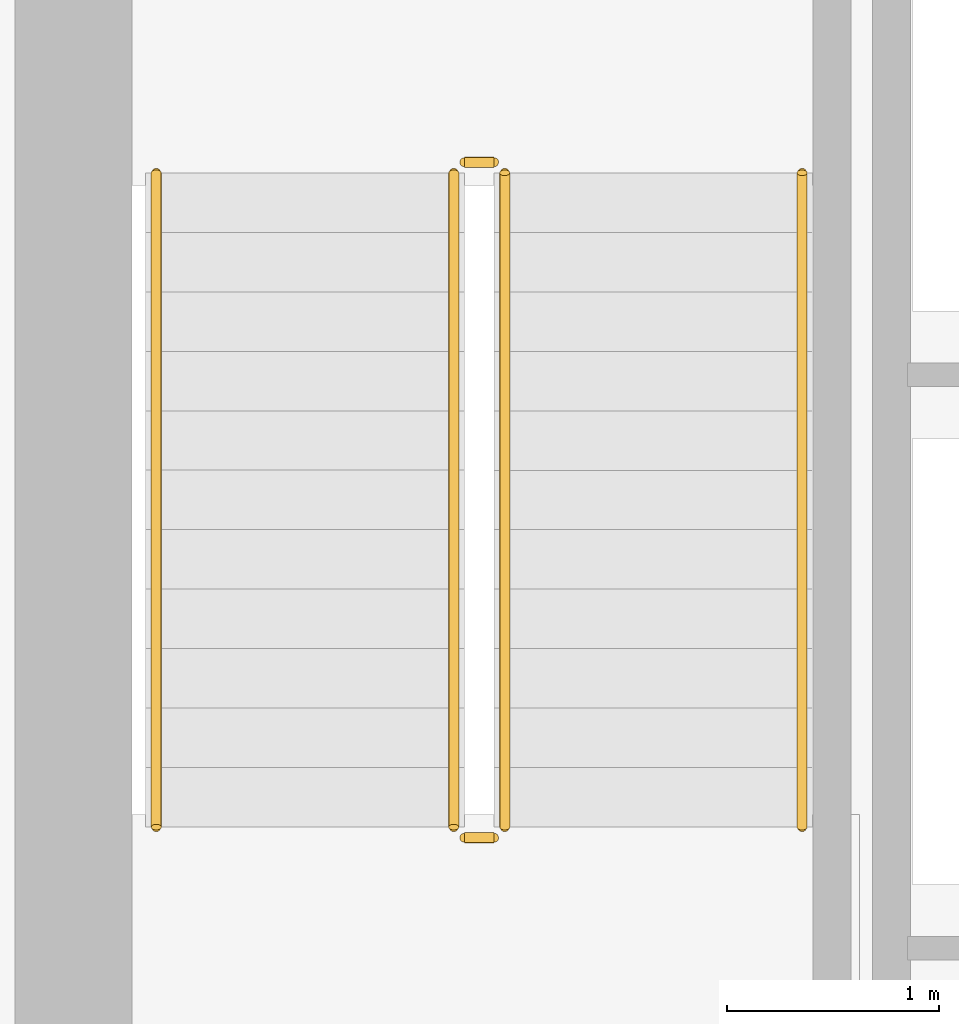
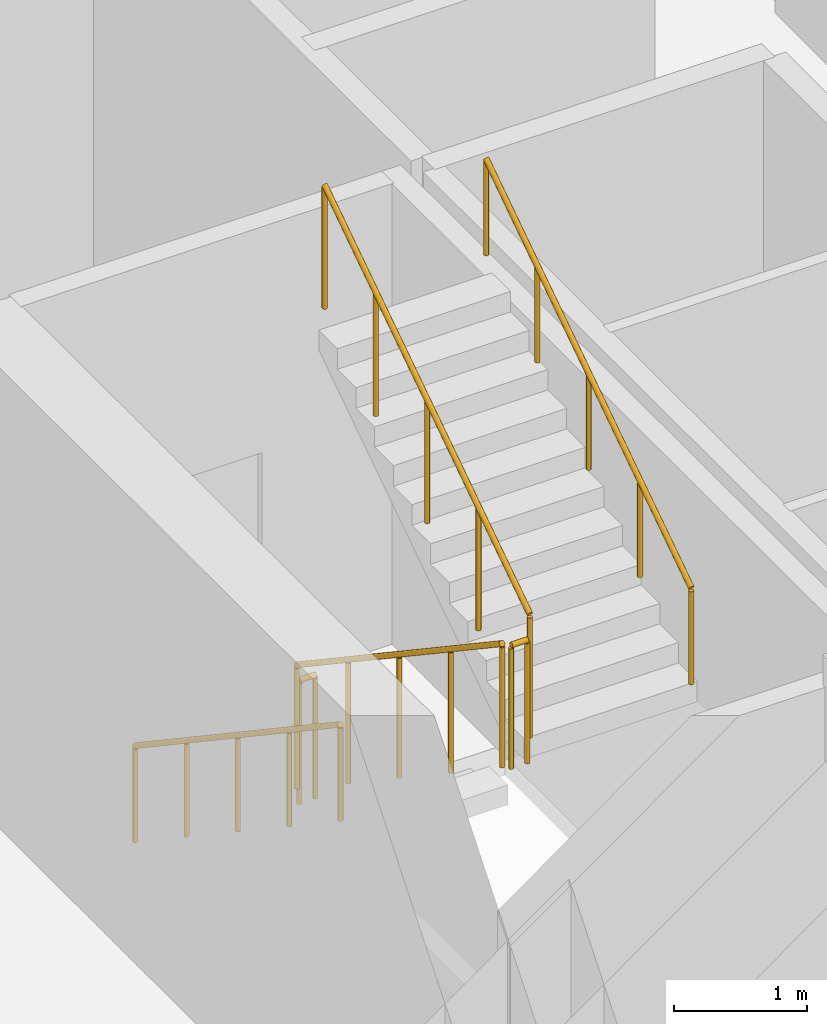
# One storey, part 17 of 21: 6 railings.
"""IFC4 building model written with IfcOpenShell, lengths in metres."""

from ifc_helpers import new_model, si_unit, direction, frame, origin, origin_2d, place, context, subcontext, project, spatial, circle, extrude, material, type_object, element, save


model = new_model("IFC4")

# Units and contexts
model_context = context("Model", 3, precision=1e-05, world=origin(), true_north=direction((0.0, 1.0)))
body_context = subcontext(model_context, "Body", "Model", "MODEL_VIEW")
ifc_project = project(units=[si_unit("LENGTHUNIT", "METRE"), si_unit("AREAUNIT", "SQUARE_METRE"), si_unit("VOLUMEUNIT", "CUBIC_METRE"), si_unit("PLANEANGLEUNIT", "RADIAN"), si_unit("MASSUNIT", "GRAM", prefix="KILO")], contexts=[model_context])

# Site, building, storey
site_placement = place(None, origin())
site = spatial("IfcSite", under=ifc_project, at=site_placement, CompositionType="ELEMENT")
building_placement = place(site_placement, origin())
building = spatial("IfcBuilding", under=site, at=building_placement, Name="Cairnveth Concourse Tower", CompositionType="ELEMENT")
storey_placement = place(building_placement, frame((0.0, 0.0, 10.0)))
storey = spatial("IfcBuildingStorey", under=building, at=storey_placement, Name="L02", CompositionType="ELEMENT", Elevation=10.0)

# Railings
ifc_material = material(Name="Steel Grade 350", Category="steel")
railing_type_1 = type_object("IfcRailingType", Name="STAIR GUARDRAIL 1150", PredefinedType="GUARDRAIL", material=ifc_material)
railing_1_placement = place(storey_placement, frame((45.2900390625, 37.10009765625, 0.1875)))
element("IfcRailing", 1, at=railing_1_placement, inside=storey, type_object=railing_type_1, Name="L02 ST-1 stair guard 1", PredefinedType="GUARDRAIL", context=body_context, shape_type="SweptSolid", body=[
    extrude(circle(Radius=0.02392578125, at=origin_2d()), frame((0.0, 0.0, 1.1259765625), z_axis=(0.0, -0.830913701846, 0.55640131208), x_axis=(1.0, 0.0, 0.0)), (0.0, 0.0, 1.0), 3.706787109375),
    extrude(circle(Radius=0.02099609375, at=origin_2d()), origin(), (0.0, 0.0, 1.0), 1.101806640625),
    extrude(circle(Radius=0.02099609375, at=origin_2d()), frame((0.0, -0.77001953125, 0.515625)), (0.0, 0.0, 1.0), 1.101806640625),
    extrude(circle(Radius=0.02099609375, at=origin_2d()), frame((0.0, -1.5400390625, 1.03125)), (0.0, 0.0, 1.0), 1.101806640625),
    extrude(circle(Radius=0.02099609375, at=origin_2d()), frame((0.0, -2.31005859375, 1.546875)), (0.0, 0.0, 1.0), 1.101806640625),
    extrude(circle(Radius=0.02099609375, at=origin_2d()), frame((0.0, -3.080078125, 2.0625)), (0.0, 0.0, 1.0), 1.101806640625),
])
railing_2_placement = place(storey_placement, frame((45.340087890625, 33.969970703125, 2.25)))
element("IfcRailing", 2, at=railing_2_placement, inside=storey, type_object=railing_type_1, Name="L02 ST-1 stair guard 2", PredefinedType="GUARDRAIL", context=body_context, shape_type="SweptSolid", body=[
    extrude(circle(Radius=0.02392578125, at=origin_2d()), frame((0.0, 0.0, 1.1259765625), z_axis=(1.0, 0.0, 0.0), x_axis=(0.0, 1.0, 0.0)), (0.0, 0.0, 1.0), 0.139892578125),
    extrude(circle(Radius=0.02099609375, at=origin_2d()), origin(), (0.0, 0.0, 1.0), 1.101806640625),
    extrude(circle(Radius=0.02099609375, at=origin_2d()), frame((0.139892578125, 0.0, 0.0)), (0.0, 0.0, 1.0), 1.101806640625),
])
railing_3_placement = place(storey_placement, frame((45.530029296875, 34.02001953125, 2.4375)))
element("IfcRailing", 3, at=railing_3_placement, inside=storey, type_object=railing_type_1, Name="L02 ST-1 stair guard 3", PredefinedType="GUARDRAIL", context=body_context, shape_type="SweptSolid", body=[
    extrude(circle(Radius=0.02392578125, at=origin_2d()), frame((0.0, 0.0, 1.1259765625), z_axis=(0.0, 0.830913701846, 0.55640131208), x_axis=(-1.0, 0.0, 0.0)), (0.0, 0.0, 1.0), 3.706787109375),
    extrude(circle(Radius=0.02099609375, at=origin_2d()), origin(), (0.0, 0.0, 1.0), 1.101806640625),
    extrude(circle(Radius=0.02099609375, at=origin_2d()), frame((0.0, 0.77001953125, 0.515625)), (0.0, 0.0, 1.0), 1.101806640625),
    extrude(circle(Radius=0.02099609375, at=origin_2d()), frame((0.0, 1.5400390625, 1.03125)), (0.0, 0.0, 1.0), 1.101806640625),
    extrude(circle(Radius=0.02099609375, at=origin_2d()), frame((0.0, 2.31005859375, 1.546875)), (0.0, 0.0, 1.0), 1.101806640625),
    extrude(circle(Radius=0.02099609375, at=origin_2d()), frame((0.0, 3.080078125, 2.0625)), (0.0, 0.0, 1.0), 1.101806640625),
])
railing_4_placement = place(storey_placement, frame((45.340087890625, 37.14990234375, 0.0)))
element("IfcRailing", 4, at=railing_4_placement, inside=storey, type_object=railing_type_1, Name="L02 ST-1 stair guard 4", PredefinedType="GUARDRAIL", context=body_context, shape_type="SweptSolid", body=[
    extrude(circle(Radius=0.02392578125, at=origin_2d()), frame((0.0, 0.0, 1.1259765625), z_axis=(1.0, 0.0, 0.0), x_axis=(0.0, 1.0, 0.0)), (0.0, 0.0, 1.0), 0.139892578125),
    extrude(circle(Radius=0.02099609375, at=origin_2d()), origin(), (0.0, 0.0, 1.0), 1.101806640625),
    extrude(circle(Radius=0.02099609375, at=origin_2d()), frame((0.139892578125, 0.0, 0.0)), (0.0, 0.0, 1.0), 1.101806640625),
])
railing_type_2 = type_object("IfcRailingType", Name="STAIR WALL HANDRAIL 900", PredefinedType="HANDRAIL", material=ifc_material)
railing_5_placement = place(storey_placement, frame((43.889892578125, 37.10009765625, 0.1875)))
element("IfcRailing", 5, at=railing_5_placement, inside=storey, type_object=railing_type_2, Name="L02 ST-1 stair handrail 1", PredefinedType="HANDRAIL", context=body_context, shape_type="SweptSolid", body=[
    extrude(circle(Radius=0.02392578125, at=origin_2d()), frame((0.0, 0.0, 0.8759765625), z_axis=(0.0, -0.830913701846, 0.55640131208), x_axis=(1.0, 0.0, 0.0)), (0.0, 0.0, 1.0), 3.706787109375),
    extrude(circle(Radius=0.02099609375, at=origin_2d()), origin(), (0.0, 0.0, 1.0), 0.851806640625),
    extrude(circle(Radius=0.02099609375, at=origin_2d()), frame((0.0, -0.77001953125, 0.515625)), (0.0, 0.0, 1.0), 0.851806640625),
    extrude(circle(Radius=0.02099609375, at=origin_2d()), frame((0.0, -1.5400390625, 1.03125)), (0.0, 0.0, 1.0), 0.851806640625),
    extrude(circle(Radius=0.02099609375, at=origin_2d()), frame((0.0, -2.31005859375, 1.546875)), (0.0, 0.0, 1.0), 0.851806640625),
    extrude(circle(Radius=0.02099609375, at=origin_2d()), frame((0.0, -3.080078125, 2.0625)), (0.0, 0.0, 1.0), 0.851806640625),
])
railing_6_placement = place(storey_placement, frame((46.929931640625, 34.02001953125, 2.4375)))
element("IfcRailing", 6, at=railing_6_placement, inside=storey, type_object=railing_type_2, Name="L02 ST-1 stair handrail 2", PredefinedType="HANDRAIL", context=body_context, shape_type="SweptSolid", body=[
    extrude(circle(Radius=0.02392578125, at=origin_2d()), frame((0.0, 0.0, 0.8759765625), z_axis=(0.0, 0.830913701846, 0.55640131208), x_axis=(-1.0, 0.0, 0.0)), (0.0, 0.0, 1.0), 3.706787109375),
    extrude(circle(Radius=0.02099609375, at=origin_2d()), origin(), (0.0, 0.0, 1.0), 0.851806640625),
    extrude(circle(Radius=0.02099609375, at=origin_2d()), frame((0.0, 0.77001953125, 0.515625)), (0.0, 0.0, 1.0), 0.851806640625),
    extrude(circle(Radius=0.02099609375, at=origin_2d()), frame((0.0, 1.5400390625, 1.03125)), (0.0, 0.0, 1.0), 0.851806640625),
    extrude(circle(Radius=0.02099609375, at=origin_2d()), frame((0.0, 2.31005859375, 1.546875)), (0.0, 0.0, 1.0), 0.851806640625),
    extrude(circle(Radius=0.02099609375, at=origin_2d()), frame((0.0, 3.080078125, 2.0625)), (0.0, 0.0, 1.0), 0.851806640625),
])

save(model, "model.ifc")
